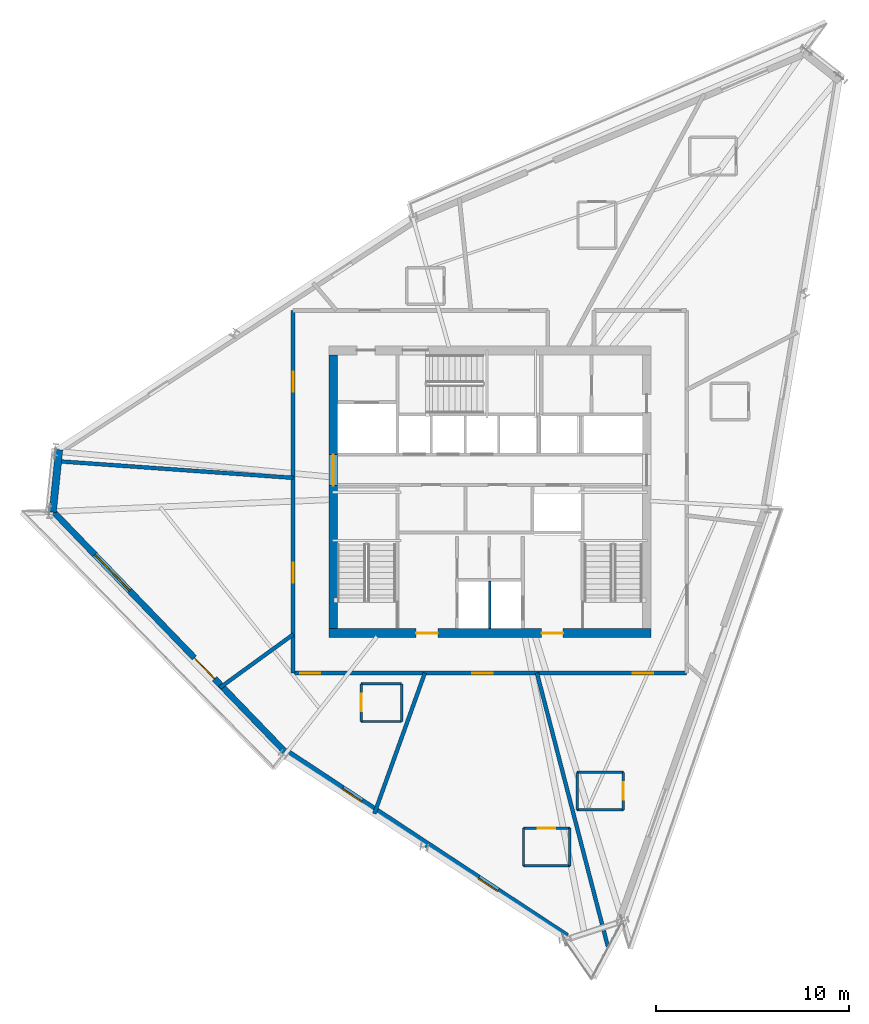
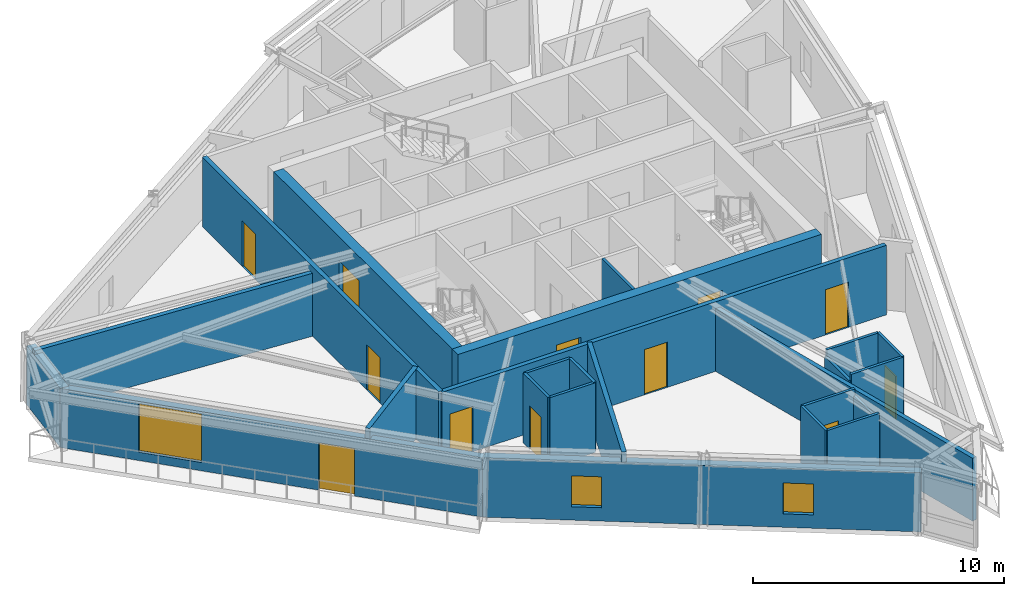
# One storey, part 7 of 13: 24 walls, 12 doors, 3 windows, 15 openings.
"""IFC4 building model written with IfcOpenShell, lengths in metres."""

from ifc_helpers import new_model, si_unit, direction, frame, frame_2d, origin, place, context, subcontext, project, spatial, rectangle, extrude, source, transform, mapped, material, layer, layer_set, type_object, type_shapes, element, fill, save


model = new_model("IFC4")

# Units and contexts
model_context = context("Model", 3, precision=1e-05, world=origin(), true_north=direction((0.0, 1.0)))
body_context = subcontext(model_context, "Body", "Model", "MODEL_VIEW")
ifc_project = project(units=[si_unit("LENGTHUNIT", "METRE"), si_unit("AREAUNIT", "SQUARE_METRE"), si_unit("VOLUMEUNIT", "CUBIC_METRE"), si_unit("PLANEANGLEUNIT", "RADIAN"), si_unit("MASSUNIT", "GRAM", prefix="KILO")], contexts=[model_context])

# Site, building, storey
site_placement = place(None, origin())
site = spatial("IfcSite", under=ifc_project, at=site_placement, CompositionType="ELEMENT")
building_placement = place(site_placement, origin())
building = spatial("IfcBuilding", under=site, at=building_placement, Name="Olszyna Solenne Hotel", CompositionType="ELEMENT")
storey_placement = place(building_placement, frame((0.0, 0.0, 248.89990234375)))
storey = spatial("IfcBuildingStorey", under=building, at=storey_placement, Name="L66", CompositionType="ELEMENT", Elevation=248.89990234375)

# Wall, openings, doors
ifc_material_1 = material(Name="Concrete C50/60", Category="concrete")
ifc_layer_1 = layer(ifc_material_1, 0.449951171875, Name="Concrete C50/60")
ifc_layer_set_1 = layer_set([ifc_layer_1], Name="Concrete C50/60")
wall_type_1 = type_object("IfcWallType", Name="WL-CR450", PredefinedType="SHEAR", material=ifc_layer_set_1)
wall_1_placement = place(storey_placement, frame((46.35009765625, 19.27490234375, 0.0), z_axis=(0.0, 0.0, 1.0), x_axis=(-1.0, 0.0, 0.0)))
wall_1 = element("IfcWall", 1, at=wall_1_placement, inside=storey, type_object=wall_type_1, Name="Core shear wall WL-CR450 CRW-L66-S", PredefinedType="SHEAR", context=body_context, shape_type="SweptSolid", body=[
    extrude(rectangle(XDim=16.7001953125, YDim=0.449951171875, at=frame_2d((8.35009765625, 0.0))), origin(), (0.0, 0.0, 1.0), 3.380126953125),
])
opening_1_placement = place(wall_1_placement, frame((4.550048828125, 0.0, 0.0)))
opening_1 = element("IfcOpeningElement", 2, at=opening_1_placement, cuts=wall_1, Name="Opening FL-L66-1", PredefinedType="OPENING", context=body_context, shape_type="SweptSolid", body=[
    extrude(rectangle(XDim=1.1201171875, YDim=2.25, at=frame_2d((0.56005859375, 1.125))), frame((0.0, 0.23486328125, 0.0), z_axis=(0.0, -1.0, 0.0), x_axis=(1.0, 0.0, 0.0)), (0.0, 0.0, 1.0), 0.469970703125),
])
opening_2_placement = place(wall_1_placement, frame((11.050048828125, 0.0, 0.0)))
opening_2 = element("IfcOpeningElement", 3, at=opening_2_placement, cuts=wall_1, Name="Opening FL-L66-2", PredefinedType="OPENING", context=body_context, shape_type="SweptSolid", body=[
    extrude(rectangle(XDim=1.1201171875, YDim=2.25, at=frame_2d((0.56005859375, 1.125))), frame((0.0, 0.23486328125, 0.0), z_axis=(0.0, -1.0, 0.0), x_axis=(1.0, 0.0, 0.0)), (0.0, 0.0, 1.0), 0.469970703125),
])
ifc_material_2 = material(Name="Steel S355J2", Category="steel")
door_type_1 = type_object("IfcDoorType", Name="DR-FL1", OperationType="NOTDEFINED", PredefinedType="DOOR", material=ifc_material_2)
shared_shape_1 = source(origin(), body_context, "Body", "SweptSolid", [
    extrude(rectangle(XDim=1.1201171875, YDim=2.25, at=frame_2d((0.56005859375, 1.125))), frame((0.0, 0.02490234375, 0.0), z_axis=(0.0, -1.0, 0.0), x_axis=(1.0, 0.0, 0.0)), (0.0, 0.0, 1.0), 0.050048828125),
])
type_shapes(door_type_1, [shared_shape_1])
door_1_placement = place(opening_1_placement, origin())
door_1 = element("IfcDoor", 4, at=door_1_placement, inside=storey, type_object=door_type_1, Name="Firefighting lift lobby smoke door FL-L66-1", OperationType="SINGLE_SWING_LEFT", OverallHeight=2.25, OverallWidth=1.1201171875, PredefinedType="DOOR", context=body_context, shape_type="MappedRepresentation", body=[
    mapped(shared_shape_1, transform((0.0, 0.0, 0.0), x_axis=(1.0, 0.0, 0.0), y_axis=(0.0, 1.0, 0.0), z_axis=(0.0, 0.0, 1.0), scale=1.0)),
])
fill(opening_1, door_1)
door_2_placement = place(opening_2_placement, origin())
door_2 = element("IfcDoor", 5, at=door_2_placement, inside=storey, type_object=door_type_1, Name="Firefighting lift lobby smoke door FL-L66-2", OperationType="SINGLE_SWING_RIGHT", OverallHeight=2.25, OverallWidth=1.1201171875, PredefinedType="DOOR", context=body_context, shape_type="MappedRepresentation", body=[
    mapped(shared_shape_1, transform((0.0, 0.0, 0.0), x_axis=(1.0, 0.0, 0.0), y_axis=(0.0, 1.0, 0.0), z_axis=(0.0, 0.0, 1.0), scale=1.0)),
])
fill(opening_2, door_2)

# Wall, opening, door
wall_2_placement = place(storey_placement, frame((29.875, 19.5, 0.0), z_axis=(0.0, 0.0, 1.0), x_axis=(0.0, 1.0, 0.0)))
wall_2 = element("IfcWall", 6, at=wall_2_placement, inside=storey, type_object=wall_type_1, Name="Core shear wall WL-CR450 CRW-L66-W", PredefinedType="SHEAR", context=body_context, shape_type="SweptSolid", body=[
    extrude(rectangle(XDim=14.199951171875, YDim=0.449951171875, at=frame_2d((7.10009765625, 0.0))), origin(), (0.0, 0.0, 1.0), 3.380126953125),
])
opening_3_placement = place(wall_2_placement, frame((7.419921875, 0.0, 0.0)))
opening_3 = element("IfcOpeningElement", 7, at=opening_3_placement, cuts=wall_2, Name="Opening LHD-L66-W", PredefinedType="OPENING", context=body_context, shape_type="SweptSolid", body=[
    extrude(rectangle(XDim=1.60009765625, YDim=2.199951171875, at=frame_2d((0.800048828125, 1.10009765625))), frame((0.0, 0.23486328125, 0.0), z_axis=(0.0, -1.0, 0.0), x_axis=(1.0, 0.0, 0.0)), (0.0, 0.0, 1.0), 0.469970703125),
])
ifc_material_3 = material(Name="Timber hardwood", Category="wood")
door_type_2 = type_object("IfcDoorType", Name="DR-CR1", OperationType="DOUBLE_DOOR_SINGLE_SWING", PredefinedType="DOOR", material=ifc_material_3)
shared_shape_2 = source(origin(), body_context, "Body", "SweptSolid", [
    extrude(rectangle(XDim=1.60009765625, YDim=2.199951171875, at=frame_2d((0.800048828125, 1.10009765625))), frame((0.0, 0.02490234375, 0.0), z_axis=(0.0, -1.0, 0.0), x_axis=(1.0, 0.0, 0.0)), (0.0, 0.0, 1.0), 0.050048828125),
])
type_shapes(door_type_2, [shared_shape_2])
door_3_placement = place(opening_3_placement, origin())
door_3 = element("IfcDoor", 8, at=door_3_placement, inside=storey, type_object=door_type_2, Name="Passenger lift lobby West fire door LHD-L66-W", OperationType="DOUBLE_DOOR_SINGLE_SWING", OverallHeight=2.199951171875, OverallWidth=1.60009765625, PredefinedType="DOOR", context=body_context, shape_type="MappedRepresentation", body=[
    mapped(shared_shape_2, transform((0.0, 0.0, 0.0), x_axis=(1.0, 0.0, 0.0), y_axis=(0.0, 1.0, 0.0), z_axis=(0.0, 0.0, 1.0), scale=1.0)),
])
fill(opening_3, door_3)

# Wall, openings, door, window
ifc_material_4 = material(Name="Precast concrete C45/55", Category="concrete")
ifc_layer_2 = layer(ifc_material_4, 0.320068359375, Name="Precast concrete C45/55")
ifc_layer_set_2 = layer_set([ifc_layer_2], Name="Precast concrete C45/55")
wall_type_2 = type_object("IfcWallType", Name="WL-EX320", PredefinedType="SOLIDWALL", material=ifc_layer_set_2)
wall_3_placement = place(storey_placement, frame((27.39697265625, 13.097900390625, 0.0), z_axis=(0.0, 0.0, 1.0), x_axis=(-0.694335154738, 0.719651785863, 0.0)))
wall_3 = element("IfcWall", 9, at=wall_3_placement, inside=storey, type_object=wall_type_2, Name="Exterior terracotta-precast frame wall WL-EX320 EW-L66-05", PredefinedType="SOLIDWALL", context=body_context, shape_type="SweptSolid", body=[
    extrude(rectangle(XDim=17.47412109375, YDim=0.320068359375, at=frame_2d((8.737060546875, 0.0))), origin(), (0.0, 0.0, 1.0), 2.8720703125),
])
opening_4_placement = place(wall_3_placement, frame((5.2919921875, 0.0, 0.0)))
opening_4 = element("IfcOpeningElement", 10, at=opening_4_placement, cuts=wall_3, Name="Opening LDG-L66-2", PredefinedType="OPENING", context=body_context, shape_type="SweptSolid", body=[
    extrude(rectangle(XDim=1.5, YDim=2.300048828125, at=frame_2d((0.75, 1.14990234375))), frame((0.0, 0.169921875, 0.0), z_axis=(0.0, -1.0, 0.0), x_axis=(1.0, 0.0, 0.0)), (0.0, 0.0, 1.0), 0.340087890625),
])
opening_5_placement = place(wall_3_placement, frame((11.631103515625, 0.0, 0.402099609375)))
opening_5 = element("IfcOpeningElement", 11, at=opening_5_placement, cuts=wall_3, Name="Opening WN-L66-435", PredefinedType="OPENING", context=body_context, shape_type="SweptSolid", body=[
    extrude(rectangle(XDim=2.60009765625, YDim=2.35009765625, at=frame_2d((1.300048828125, 1.175048828125))), frame((0.0, 0.169921875, 0.0), z_axis=(0.0, -1.0, 0.0), x_axis=(1.0, 0.0, 0.0)), (0.0, 0.0, 1.0), 0.340087890625),
])
ifc_material_5 = material(Name="Anodised bronze aluminium", Category="aluminium")
door_type_3 = type_object("IfcDoorType", Name="DR-LG2", OperationType="DOUBLE_DOOR_SINGLE_SWING", PredefinedType="DOOR", material=ifc_material_5)
shared_shape_3 = source(origin(), body_context, "Body", "SweptSolid", [
    extrude(rectangle(XDim=1.5, YDim=2.300048828125, at=frame_2d((0.75, 1.14990234375))), frame((0.0, 0.02490234375, 0.0), z_axis=(0.0, -1.0, 0.0), x_axis=(1.0, 0.0, 0.0)), (0.0, 0.0, 1.0), 0.050048828125),
])
type_shapes(door_type_3, [shared_shape_3])
door_4_placement = place(opening_4_placement, origin())
door_4 = element("IfcDoor", 12, at=door_4_placement, inside=storey, type_object=door_type_3, Name="Exterior loggia balcony door DR-LG2 LDG-L66-2", OperationType="DOUBLE_DOOR_SINGLE_SWING", OverallHeight=2.300048828125, OverallWidth=1.5, PredefinedType="DOOR", context=body_context, shape_type="MappedRepresentation", body=[
    mapped(shared_shape_3, transform((0.0, 0.0, 0.0), x_axis=(1.0, 0.0, 0.0), y_axis=(0.0, 1.0, 0.0), z_axis=(0.0, 0.0, 1.0), scale=1.0)),
])
fill(opening_4, door_4)
ifc_material_6 = material(Name="Low-E triple glazing", Category="glass")
window_type_1 = type_object("IfcWindowType", Name="WN-ST1", PartitioningType="SINGLE_PANEL", PredefinedType="WINDOW", material=ifc_material_6)
shared_shape_4 = source(origin(), body_context, "Body", "SweptSolid", [
    extrude(rectangle(XDim=2.60009765625, YDim=2.35009765625, at=frame_2d((1.300048828125, 1.175048828125))), frame((0.0, 0.030029296875, 0.0), z_axis=(0.0, -1.0, 0.0), x_axis=(1.0, 0.0, 0.0)), (0.0, 0.0, 1.0), 0.06005859375),
])
type_shapes(window_type_1, [shared_shape_4])
window_1_placement = place(opening_5_placement, origin())
window_1 = element("IfcWindow", 13, at=window_1_placement, inside=storey, type_object=window_type_1, Name="Loggia room window WN-ST1 WN-L66-435", OverallHeight=2.35009765625, OverallWidth=2.60009765625, PartitioningType="SINGLE_PANEL", PredefinedType="WINDOW", context=body_context, shape_type="MappedRepresentation", body=[
    mapped(shared_shape_4, transform((0.0, 0.0, 0.0), x_axis=(1.0, 0.0, 0.0), y_axis=(0.0, 1.0, 0.0), z_axis=(0.0, 0.0, 1.0), scale=1.0)),
])
fill(opening_5, window_1)

# Wall, openings, windows
ifc_material_7 = material(Name="Terracotta cladding on precast concrete C45/55", Category="masonry")
ifc_layer_3 = layer(ifc_material_7, 0.3798828125, Name="Terracotta cladding on precast concrete C45/55")
ifc_layer_set_3 = layer_set([ifc_layer_3], Name="Terracotta cladding on precast concrete C45/55")
wall_type_3 = type_object("IfcWallType", Name="WL-EX380", PredefinedType="SOLIDWALL", material=ifc_layer_set_3)
wall_4_placement = place(storey_placement, frame((41.9794921875, 3.53369140625, 0.0), z_axis=(0.0, 0.0, 1.0), x_axis=(-0.835124059856, 0.550061637136, 0.0)))
wall_4 = element("IfcWall", 14, at=wall_4_placement, inside=storey, type_object=wall_type_3, Name="Exterior terracotta-precast frame wall WL-EX380 EW-L66-04", PredefinedType="SOLIDWALL", context=body_context, shape_type="SweptSolid", body=[
    extrude(rectangle(XDim=17.47412109375, YDim=0.3798828125, at=frame_2d((8.737060546875, 0.0))), origin(), (0.0, 0.0, 1.0), 2.8720703125),
])
opening_6_placement = place(wall_4_placement, frame((4.29296875, 0.0, 0.64990234375)))
opening_6 = element("IfcOpeningElement", 15, at=opening_6_placement, cuts=wall_4, Name="Opening WN-L66-433", PredefinedType="OPENING", context=body_context, shape_type="SweptSolid", body=[
    extrude(rectangle(XDim=1.199951171875, YDim=1.5, at=frame_2d((0.60009765625, 0.75))), frame((0.0, 0.199951171875, 0.0), z_axis=(0.0, -1.0, 0.0), x_axis=(1.0, 0.0, 0.0)), (0.0, 0.0, 1.0), 0.39990234375),
])
opening_7_placement = place(wall_4_placement, frame((12.73095703125, 0.0, 0.64990234375)))
opening_7 = element("IfcOpeningElement", 16, at=opening_7_placement, cuts=wall_4, Name="Opening WN-L66-434", PredefinedType="OPENING", context=body_context, shape_type="SweptSolid", body=[
    extrude(rectangle(XDim=1.199951171875, YDim=1.5, at=frame_2d((0.60009765625, 0.75))), frame((0.0, 0.199951171875, 0.0), z_axis=(0.0, -1.0, 0.0), x_axis=(1.0, 0.0, 0.0)), (0.0, 0.0, 1.0), 0.39990234375),
])
window_type_2 = type_object("IfcWindowType", Name="WN-B1", PartitioningType="SINGLE_PANEL", PredefinedType="WINDOW", material=ifc_material_6)
shared_shape_5 = source(origin(), body_context, "Body", "SweptSolid", [
    extrude(rectangle(XDim=1.199951171875, YDim=1.5, at=frame_2d((0.60009765625, 0.75))), frame((0.0, 0.030029296875, 0.0), z_axis=(0.0, -1.0, 0.0), x_axis=(1.0, 0.0, 0.0)), (0.0, 0.0, 1.0), 0.06005859375),
])
type_shapes(window_type_2, [shared_shape_5])
window_2_placement = place(opening_6_placement, origin())
window_2 = element("IfcWindow", 17, at=window_2_placement, inside=storey, type_object=window_type_2, Name="Exterior facade window WN-B1 WN-L66-433", OverallHeight=1.5, OverallWidth=1.199951171875, PartitioningType="SINGLE_PANEL", PredefinedType="WINDOW", context=body_context, shape_type="MappedRepresentation", body=[
    mapped(shared_shape_5, transform((0.0, 0.0, 0.0), x_axis=(1.0, 0.0, 0.0), y_axis=(0.0, 1.0, 0.0), z_axis=(0.0, 0.0, 1.0), scale=1.0)),
])
fill(opening_6, window_2)
window_3_placement = place(opening_7_placement, origin())
window_3 = element("IfcWindow", 18, at=window_3_placement, inside=storey, type_object=window_type_2, Name="Exterior facade window WN-B1 WN-L66-434", OverallHeight=1.5, OverallWidth=1.199951171875, PartitioningType="SINGLE_PANEL", PredefinedType="WINDOW", context=body_context, shape_type="MappedRepresentation", body=[
    mapped(shared_shape_5, transform((0.0, 0.0, 0.0), x_axis=(1.0, 0.0, 0.0), y_axis=(0.0, 1.0, 0.0), z_axis=(0.0, 0.0, 1.0), scale=1.0)),
])
fill(opening_7, window_3)

# Walls
wall_5_placement = place(storey_placement, frame((15.338134765625, 25.542724609375, 0.0), z_axis=(0.0, 0.0, 1.0), x_axis=(0.101912621296, 0.99479335423, 0.0)))
element("IfcWall", 19, at=wall_5_placement, inside=storey, type_object=wall_type_3, Name="Exterior terracotta-precast frame wall WL-EX380 EW-L66-06", PredefinedType="SOLIDWALL", context=body_context, shape_type="SweptSolid", body=[
    extrude(rectangle(XDim=3.250732421875, YDim=0.3798828125, at=frame_2d((1.62548828125, 0.0))), origin(), (0.0, 0.0, 1.0), 2.8720703125),
])
ifc_material_8 = material(Name="Acoustic gypsum partition", Category="gypsum")
ifc_layer_4 = layer(ifc_material_8, 0.125, Name="Acoustic gypsum partition")
ifc_layer_set_4 = layer_set([ifc_layer_4], Name="Acoustic gypsum partition")
wall_type_4 = type_object("IfcWallType", Name="WL-PT125", PredefinedType="PARTITIONING", material=ifc_layer_set_4)
wall_6_placement = place(storey_placement, frame((38.0, 19.5, 0.0), z_axis=(0.0, 0.0, 1.0), x_axis=(0.0, 1.0, 0.0)))
element("IfcWall", 20, at=wall_6_placement, inside=storey, type_object=wall_type_4, Name="Core shaft compartment wall CW-L66-FFM", PredefinedType="PARTITIONING", context=body_context, shape_type="SweptSolid", body=[
    extrude(rectangle(XDim=2.4599609375, YDim=0.125, at=frame_2d((1.22998046875, 0.0))), origin(), (0.0, 0.0, 1.0), 3.380126953125),
])
wall_7_placement = place(storey_placement, frame((42.139892578125, 7.205078125, 0.0), z_axis=(0.0, 0.0, 1.0), x_axis=(0.0, 1.0, 0.0)))
element("IfcWall", 21, at=wall_7_placement, inside=storey, type_object=wall_type_4, Name="Interior acoustic partition WL-PT125 PW-L66-3659", PredefinedType="PARTITIONING", context=body_context, shape_type="SweptSolid", body=[
    extrude(rectangle(XDim=1.949951171875, YDim=0.125, at=frame_2d((0.97509765625, 0.0))), origin(), (0.0, 0.0, 1.0), 3.05517578125),
])

# Wall, opening, door
wall_8_placement = place(storey_placement, frame((42.139892578125, 9.155029296875, 0.0), z_axis=(0.0, 0.0, 1.0), x_axis=(-1.0, 0.0, 0.0)))
wall_8 = element("IfcWall", 22, at=wall_8_placement, inside=storey, type_object=wall_type_4, Name="Interior acoustic partition WL-PT125 PW-L66-3660", PredefinedType="PARTITIONING", context=body_context, shape_type="SweptSolid", body=[
    extrude(rectangle(XDim=2.39990234375, YDim=0.125, at=frame_2d((1.199951171875, 0.0))), origin(), (0.0, 0.0, 1.0), 3.380126953125),
])
opening_8_placement = place(wall_8_placement, frame((0.75, 0.0, 0.0)))
opening_8 = element("IfcOpeningElement", 23, at=opening_8_placement, cuts=wall_8, Name="Opening DR-L66-0888", PredefinedType="OPENING", context=body_context, shape_type="SweptSolid", body=[
    extrude(rectangle(XDim=0.89990234375, YDim=2.10009765625, at=frame_2d((0.449951171875, 1.050048828125))), frame((0.0, 0.072509765625, 0.0), z_axis=(0.0, -1.0, 0.0), x_axis=(1.0, 0.0, 0.0)), (0.0, 0.0, 1.0), 0.14501953125),
])
door_type_4 = type_object("IfcDoorType", Name="DR-WC1", OperationType="NOTDEFINED", PredefinedType="DOOR", material=ifc_material_3)
shared_shape_6 = source(origin(), body_context, "Body", "SweptSolid", [
    extrude(rectangle(XDim=0.89990234375, YDim=2.10009765625, at=frame_2d((0.449951171875, 1.050048828125))), frame((0.0, 0.02490234375, 0.0), z_axis=(0.0, -1.0, 0.0), x_axis=(1.0, 0.0, 0.0)), (0.0, 0.0, 1.0), 0.050048828125),
])
type_shapes(door_type_4, [shared_shape_6])
door_5_placement = place(opening_8_placement, origin())
door_5 = element("IfcDoor", 24, at=door_5_placement, inside=storey, type_object=door_type_4, Name="En-Suite Bathroom Door DR-L66-0888", OperationType="SINGLE_SWING_LEFT", OverallHeight=2.10009765625, OverallWidth=0.89990234375, PredefinedType="DOOR", context=body_context, shape_type="MappedRepresentation", body=[
    mapped(shared_shape_6, transform((0.0, 0.0, 0.0), x_axis=(1.0, 0.0, 0.0), y_axis=(0.0, 1.0, 0.0), z_axis=(0.0, 0.0, 1.0), scale=1.0)),
])
fill(opening_8, door_5)

# Walls
wall_9_placement = place(storey_placement, frame((39.739990234375, 9.155029296875, 0.0), z_axis=(0.0, 0.0, 1.0), x_axis=(0.0, -1.0, 0.0)))
element("IfcWall", 25, at=wall_9_placement, inside=storey, type_object=wall_type_4, Name="Interior acoustic partition WL-PT125 PW-L66-3661", PredefinedType="PARTITIONING", context=body_context, shape_type="SweptSolid", body=[
    extrude(rectangle(XDim=1.949951171875, YDim=0.125, at=frame_2d((0.97509765625, 0.0))), origin(), (0.0, 0.0, 1.0), 3.380126953125),
])
wall_10_placement = place(storey_placement, frame((39.739990234375, 7.205078125, 0.0), z_axis=(0.0, 0.0, 1.0), x_axis=(1.0, 0.0, 0.0)))
element("IfcWall", 26, at=wall_10_placement, inside=storey, type_object=wall_type_4, Name="Interior acoustic partition WL-PT125 PW-L66-3662", PredefinedType="PARTITIONING", context=body_context, shape_type="SweptSolid", body=[
    extrude(rectangle(XDim=2.39990234375, YDim=0.125, at=frame_2d((1.199951171875, 0.0))), origin(), (0.0, 0.0, 1.0), 3.380126953125),
])

# Wall, opening, door
wall_11_placement = place(storey_placement, frame((44.9208984375, 10.10498046875, 0.0), z_axis=(0.0, 0.0, 1.0), x_axis=(0.0, 1.0, 0.0)))
wall_11 = element("IfcWall", 27, at=wall_11_placement, inside=storey, type_object=wall_type_4, Name="Interior acoustic partition WL-PT125 PW-L66-3663", PredefinedType="PARTITIONING", context=body_context, shape_type="SweptSolid", body=[
    extrude(rectangle(XDim=1.949951171875, YDim=0.125, at=frame_2d((0.97509765625, 0.0))), origin(), (0.0, 0.0, 1.0), 3.380126953125),
])
opening_9_placement = place(wall_11_placement, frame((0.52490234375, 0.0, 0.0)))
opening_9 = element("IfcOpeningElement", 28, at=opening_9_placement, cuts=wall_11, Name="Opening DR-L66-0889", PredefinedType="OPENING", context=body_context, shape_type="SweptSolid", body=[
    extrude(rectangle(XDim=0.89990234375, YDim=2.10009765625, at=frame_2d((0.449951171875, 1.050048828125))), frame((0.0, 0.072509765625, 0.0), z_axis=(0.0, -1.0, 0.0), x_axis=(1.0, 0.0, 0.0)), (0.0, 0.0, 1.0), 0.14501953125),
])
door_6_placement = place(opening_9_placement, origin())
door_6 = element("IfcDoor", 29, at=door_6_placement, inside=storey, type_object=door_type_4, Name="En-Suite Bathroom Door DR-L66-0889", OperationType="SINGLE_SWING_RIGHT", OverallHeight=2.10009765625, OverallWidth=0.89990234375, PredefinedType="DOOR", context=body_context, shape_type="MappedRepresentation", body=[
    mapped(shared_shape_6, transform((0.0, 0.0, 0.0), x_axis=(1.0, 0.0, 0.0), y_axis=(0.0, 1.0, 0.0), z_axis=(0.0, 0.0, 1.0), scale=1.0)),
])
fill(opening_9, door_6)

# Walls
wall_12_placement = place(storey_placement, frame((44.9208984375, 12.054931640625, 0.0), z_axis=(0.0, 0.0, 1.0), x_axis=(-1.0, 0.0, 0.0)))
element("IfcWall", 30, at=wall_12_placement, inside=storey, type_object=wall_type_4, Name="Interior acoustic partition WL-PT125 PW-L66-3664", PredefinedType="PARTITIONING", context=body_context, shape_type="SweptSolid", body=[
    extrude(rectangle(XDim=2.39990234375, YDim=0.125, at=frame_2d((1.199951171875, 0.0))), origin(), (0.0, 0.0, 1.0), 3.380126953125),
])
wall_13_placement = place(storey_placement, frame((42.52099609375, 12.054931640625, 0.0), z_axis=(0.0, 0.0, 1.0), x_axis=(0.0, -1.0, 0.0)))
element("IfcWall", 31, at=wall_13_placement, inside=storey, type_object=wall_type_4, Name="Interior acoustic partition WL-PT125 PW-L66-3665", PredefinedType="PARTITIONING", context=body_context, shape_type="SweptSolid", body=[
    extrude(rectangle(XDim=1.949951171875, YDim=0.125, at=frame_2d((0.97509765625, 0.0))), origin(), (0.0, 0.0, 1.0), 3.05517578125),
])
wall_14_placement = place(storey_placement, frame((42.52099609375, 10.10498046875, 0.0), z_axis=(0.0, 0.0, 1.0), x_axis=(1.0, 0.0, 0.0)))
element("IfcWall", 32, at=wall_14_placement, inside=storey, type_object=wall_type_4, Name="Interior acoustic partition WL-PT125 PW-L66-3666", PredefinedType="PARTITIONING", context=body_context, shape_type="SweptSolid", body=[
    extrude(rectangle(XDim=2.39990234375, YDim=0.125, at=frame_2d((1.199951171875, 0.0))), origin(), (0.0, 0.0, 1.0), 3.380126953125),
])
wall_15_placement = place(storey_placement, frame((33.4208984375, 14.69091796875, 0.0), z_axis=(0.0, 0.0, 1.0), x_axis=(0.0, 1.0, 0.0)))
element("IfcWall", 33, at=wall_15_placement, inside=storey, type_object=wall_type_4, Name="Interior acoustic partition WL-PT125 PW-L66-3683", PredefinedType="PARTITIONING", context=body_context, shape_type="SweptSolid", body=[
    extrude(rectangle(XDim=1.9501953125, YDim=0.125, at=frame_2d((0.97509765625, 0.0))), origin(), (0.0, 0.0, 1.0), 3.380126953125),
])
wall_16_placement = place(storey_placement, frame((33.4208984375, 16.64111328125, 0.0), z_axis=(0.0, 0.0, 1.0), x_axis=(-1.0, 0.0, 0.0)))
element("IfcWall", 34, at=wall_16_placement, inside=storey, type_object=wall_type_4, Name="Interior acoustic partition WL-PT125 PW-L66-3684", PredefinedType="PARTITIONING", context=body_context, shape_type="SweptSolid", body=[
    extrude(rectangle(XDim=2.099853515625, YDim=0.125, at=frame_2d((1.0498046875, 0.0))), origin(), (0.0, 0.0, 1.0), 3.380126953125),
])

# Wall, opening, door
wall_17_placement = place(storey_placement, frame((31.321044921875, 16.64111328125, 0.0), z_axis=(0.0, 0.0, 1.0), x_axis=(0.0, -1.0, 0.0)))
wall_17 = element("IfcWall", 35, at=wall_17_placement, inside=storey, type_object=wall_type_4, Name="Interior acoustic partition WL-PT125 PW-L66-3685", PredefinedType="PARTITIONING", context=body_context, shape_type="SweptSolid", body=[
    extrude(rectangle(XDim=1.9501953125, YDim=0.125, at=frame_2d((0.97509765625, 0.0))), origin(), (0.0, 0.0, 1.0), 3.380126953125),
])
opening_10_placement = place(wall_17_placement, frame((0.52490234375, 0.0, 0.0)))
opening_10 = element("IfcOpeningElement", 36, at=opening_10_placement, cuts=wall_17, Name="Opening DR-L66-0894", PredefinedType="OPENING", context=body_context, shape_type="SweptSolid", body=[
    extrude(rectangle(XDim=0.89990234375, YDim=2.10009765625, at=frame_2d((0.449951171875, 1.050048828125))), frame((0.0, 0.072509765625, 0.0), z_axis=(0.0, -1.0, 0.0), x_axis=(1.0, 0.0, 0.0)), (0.0, 0.0, 1.0), 0.14501953125),
])
door_7_placement = place(opening_10_placement, origin())
door_7 = element("IfcDoor", 37, at=door_7_placement, inside=storey, type_object=door_type_4, Name="En-Suite Bathroom Door DR-L66-0894", OperationType="SINGLE_SWING_RIGHT", OverallHeight=2.10009765625, OverallWidth=0.89990234375, PredefinedType="DOOR", context=body_context, shape_type="MappedRepresentation", body=[
    mapped(shared_shape_6, transform((0.0, 0.0, 0.0), x_axis=(1.0, 0.0, 0.0), y_axis=(0.0, 1.0, 0.0), z_axis=(0.0, 0.0, 1.0), scale=1.0)),
])
fill(opening_10, door_7)

# Walls
wall_18_placement = place(storey_placement, frame((31.321044921875, 14.69091796875, 0.0), z_axis=(0.0, 0.0, 1.0), x_axis=(1.0, 0.0, 0.0)))
element("IfcWall", 38, at=wall_18_placement, inside=storey, type_object=wall_type_4, Name="Interior acoustic partition WL-PT125 PW-L66-3686", PredefinedType="PARTITIONING", context=body_context, shape_type="SweptSolid", body=[
    extrude(rectangle(XDim=2.099853515625, YDim=0.125, at=frame_2d((1.0498046875, 0.0))), origin(), (0.0, 0.0, 1.0), 3.380126953125),
])
ifc_layer_5 = layer(ifc_material_8, 0.199951171875, Name="Acoustic gypsum partition")
ifc_layer_set_5 = layer_set([ifc_layer_5], Name="Acoustic gypsum partition")
wall_type_5 = type_object("IfcWallType", Name="WL-PT200", PredefinedType="PARTITIONING", material=ifc_layer_set_5)
wall_19_placement = place(storey_placement, frame((34.625, 17.199951171875, 0.0), z_axis=(0.0, 0.0, 1.0), x_axis=(-0.337893391222, -0.9411843901, 0.0)))
element("IfcWall", 39, at=wall_19_placement, inside=storey, type_object=wall_type_5, Name="Interior acoustic partition WL-PT200 PW-L66-3649", PredefinedType="PARTITIONING", context=body_context, shape_type="SweptSolid", body=[
    extrude(rectangle(XDim=7.74560546875, YDim=0.199951171875, at=frame_2d((3.872802734375, 0.0))), origin(), (0.0, 0.0, 1.0), 3.380126953125),
])
wall_20_placement = place(storey_placement, frame((40.437255859375, 17.199951171875, 0.0), z_axis=(0.0, 0.0, 1.0), x_axis=(0.250981237111, -0.967991951732, 0.0)))
element("IfcWall", 40, at=wall_20_placement, inside=storey, type_object=wall_type_5, Name="Interior acoustic partition WL-PT200 PW-L66-3650", PredefinedType="PARTITIONING", context=body_context, shape_type="SweptSolid", body=[
    extrude(rectangle(XDim=14.6552734375, YDim=0.199951171875, at=frame_2d((7.32763671875, 0.0))), origin(), (0.0, 0.0, 1.0), 3.05517578125),
])
wall_21_placement = place(storey_placement, frame((27.800048828125, 27.319580078125, 0.0), z_axis=(0.0, 0.0, 1.0), x_axis=(-0.997519583844, 0.070389486763, 0.0)))
element("IfcWall", 41, at=wall_21_placement, inside=storey, type_object=wall_type_5, Name="Interior acoustic partition WL-PT200 PW-L66-3657", PredefinedType="PARTITIONING", context=body_context, shape_type="SweptSolid", body=[
    extrude(rectangle(XDim=12.38232421875, YDim=0.199951171875, at=frame_2d((6.191162109375, 0.0))), origin(), (0.0, 0.0, 1.0), 3.05517578125),
])
wall_22_placement = place(storey_placement, frame((27.800048828125, 19.198974609375, 0.0), z_axis=(0.0, 0.0, 1.0), x_axis=(-0.809388941901, -0.58727296952, 0.0)))
element("IfcWall", 42, at=wall_22_placement, inside=storey, type_object=wall_type_5, Name="Interior acoustic partition WL-PT200 PW-L66-3658", PredefinedType="PARTITIONING", context=body_context, shape_type="SweptSolid", body=[
    extrude(rectangle(XDim=4.7021484375, YDim=0.199951171875, at=frame_2d((2.35107421875, 0.0))), origin(), (0.0, 0.0, 1.0), 3.380126953125),
])

# Wall, openings, doors
wall_23_placement = place(storey_placement, frame((27.800048828125, 17.199951171875, 0.0), z_axis=(0.0, 0.0, 1.0), x_axis=(1.0, 0.0, 0.0)))
wall_23 = element("IfcWall", 43, at=wall_23_placement, inside=storey, type_object=wall_type_5, Name="Interior acoustic partition WL-PT200 PW-L66-3687", PredefinedType="PARTITIONING", context=body_context, shape_type="SweptSolid", body=[
    extrude(rectangle(XDim=20.39990234375, YDim=0.199951171875, at=frame_2d((10.199951171875, 0.0))), origin(), (0.0, 0.0, 1.0), 3.380126953125),
])
opening_11_placement = place(wall_23_placement, frame((9.291015625, 0.0, 0.0)))
opening_11 = element("IfcOpeningElement", 44, at=opening_11_placement, cuts=wall_23, Name="Opening DR-L66-0895", PredefinedType="OPENING", context=body_context, shape_type="SweptSolid", body=[
    extrude(rectangle(XDim=1.050048828125, YDim=2.199951171875, at=frame_2d((0.52490234375, 1.10009765625))), frame((0.0, 0.10986328125, 0.0), z_axis=(0.0, -1.0, 0.0), x_axis=(1.0, 0.0, 0.0)), (0.0, 0.0, 1.0), 0.219970703125),
])
opening_12_placement = place(wall_23_placement, frame((17.615966796875, 0.0, 0.0)))
opening_12 = element("IfcOpeningElement", 45, at=opening_12_placement, cuts=wall_23, Name="Opening DR-L66-0896", PredefinedType="OPENING", context=body_context, shape_type="SweptSolid", body=[
    extrude(rectangle(XDim=1.050048828125, YDim=2.199951171875, at=frame_2d((0.52490234375, 1.10009765625))), frame((0.0, 0.10986328125, 0.0), z_axis=(0.0, -1.0, 0.0), x_axis=(1.0, 0.0, 0.0)), (0.0, 0.0, 1.0), 0.219970703125),
])
opening_13_placement = place(wall_23_placement, frame((0.361083984375, 0.0, 0.0)))
opening_13 = element("IfcOpeningElement", 46, at=opening_13_placement, cuts=wall_23, Name="Opening DR-L66-0897", PredefinedType="OPENING", context=body_context, shape_type="SweptSolid", body=[
    extrude(rectangle(XDim=1.050048828125, YDim=2.199951171875, at=frame_2d((0.52490234375, 1.10009765625))), frame((0.0, 0.10986328125, 0.0), z_axis=(0.0, -1.0, 0.0), x_axis=(1.0, 0.0, 0.0)), (0.0, 0.0, 1.0), 0.219970703125),
])
door_type_5 = type_object("IfcDoorType", Name="DR-RM2", OperationType="NOTDEFINED", PredefinedType="DOOR", material=ifc_material_3)
shared_shape_7 = source(origin(), body_context, "Body", "SweptSolid", [
    extrude(rectangle(XDim=1.050048828125, YDim=2.199951171875, at=frame_2d((0.52490234375, 1.10009765625))), frame((0.0, 0.02490234375, 0.0), z_axis=(0.0, -1.0, 0.0), x_axis=(1.0, 0.0, 0.0)), (0.0, 0.0, 1.0), 0.050048828125),
])
type_shapes(door_type_5, [shared_shape_7])
door_8_placement = place(opening_11_placement, origin())
door_8 = element("IfcDoor", 47, at=door_8_placement, inside=storey, type_object=door_type_5, Name="Deluxe Hotel Guestroom Entrance Door DR-L66-0895", OperationType="SINGLE_SWING_RIGHT", OverallHeight=2.199951171875, OverallWidth=1.050048828125, PredefinedType="DOOR", context=body_context, shape_type="MappedRepresentation", body=[
    mapped(shared_shape_7, transform((0.0, 0.0, 0.0), x_axis=(1.0, 0.0, 0.0), y_axis=(0.0, 1.0, 0.0), z_axis=(0.0, 0.0, 1.0), scale=1.0)),
])
fill(opening_11, door_8)
door_9_placement = place(opening_12_placement, origin())
door_9 = element("IfcDoor", 48, at=door_9_placement, inside=storey, type_object=door_type_5, Name="Deluxe Hotel Guestroom Entrance Door DR-L66-0896", OperationType="SINGLE_SWING_LEFT", OverallHeight=2.199951171875, OverallWidth=1.050048828125, PredefinedType="DOOR", context=body_context, shape_type="MappedRepresentation", body=[
    mapped(shared_shape_7, transform((0.0, 0.0, 0.0), x_axis=(1.0, 0.0, 0.0), y_axis=(0.0, 1.0, 0.0), z_axis=(0.0, 0.0, 1.0), scale=1.0)),
])
fill(opening_12, door_9)
door_10_placement = place(opening_13_placement, origin())
door_10 = element("IfcDoor", 49, at=door_10_placement, inside=storey, type_object=door_type_5, Name="Executive Reading Salon Entrance Door DR-L66-0897", OperationType="SINGLE_SWING_LEFT", OverallHeight=2.199951171875, OverallWidth=1.050048828125, PredefinedType="DOOR", context=body_context, shape_type="MappedRepresentation", body=[
    mapped(shared_shape_7, transform((0.0, 0.0, 0.0), x_axis=(1.0, 0.0, 0.0), y_axis=(0.0, 1.0, 0.0), z_axis=(0.0, 0.0, 1.0), scale=1.0)),
])
fill(opening_13, door_10)

wall_24_placement = place(storey_placement, frame((27.800048828125, 17.199951171875, 0.0), z_axis=(0.0, 0.0, 1.0), x_axis=(0.0, 1.0, 0.0)))
wall_24 = element("IfcWall", 50, at=wall_24_placement, inside=storey, type_object=wall_type_5, Name="Interior acoustic partition WL-PT200 PW-L66-3688", PredefinedType="PARTITIONING", context=body_context, shape_type="SweptSolid", body=[
    extrude(rectangle(XDim=18.800048828125, YDim=0.199951171875, at=frame_2d((9.39990234375, 0.0))), origin(), (0.0, 0.0, 1.0), 3.380126953125),
])
opening_14_placement = place(wall_24_placement, frame((14.574951171875, 0.0, 0.0)))
opening_14 = element("IfcOpeningElement", 51, at=opening_14_placement, cuts=wall_24, Name="Opening DR-L66-0898", PredefinedType="OPENING", context=body_context, shape_type="SweptSolid", body=[
    extrude(rectangle(XDim=1.050048828125, YDim=2.199951171875, at=frame_2d((0.52490234375, 1.10009765625))), frame((0.0, 0.10986328125, 0.0), z_axis=(0.0, -1.0, 0.0), x_axis=(1.0, 0.0, 0.0)), (0.0, 0.0, 1.0), 0.219970703125),
])
opening_15_placement = place(wall_24_placement, frame((4.679931640625, 0.0, 0.0)))
opening_15 = element("IfcOpeningElement", 52, at=opening_15_placement, cuts=wall_24, Name="Opening DR-L66-0899", PredefinedType="OPENING", context=body_context, shape_type="SweptSolid", body=[
    extrude(rectangle(XDim=1.050048828125, YDim=2.199951171875, at=frame_2d((0.52490234375, 1.10009765625))), frame((0.0, 0.10986328125, 0.0), z_axis=(0.0, -1.0, 0.0), x_axis=(1.0, 0.0, 0.0)), (0.0, 0.0, 1.0), 0.219970703125),
])
door_11_placement = place(opening_14_placement, origin())
door_11 = element("IfcDoor", 53, at=door_11_placement, inside=storey, type_object=door_type_5, Name="Breakfast Tasting Salon Entrance Door DR-L66-0898", OperationType="SINGLE_SWING_LEFT", OverallHeight=2.199951171875, OverallWidth=1.050048828125, PredefinedType="DOOR", context=body_context, shape_type="MappedRepresentation", body=[
    mapped(shared_shape_7, transform((0.0, 0.0, 0.0), x_axis=(1.0, 0.0, 0.0), y_axis=(0.0, 1.0, 0.0), z_axis=(0.0, 0.0, 1.0), scale=1.0)),
])
fill(opening_14, door_11)
door_12_placement = place(opening_15_placement, origin())
door_12 = element("IfcDoor", 54, at=door_12_placement, inside=storey, type_object=door_type_5, Name="Boutique Art Gallery Entrance Door DR-L66-0899", OperationType="SINGLE_SWING_RIGHT", OverallHeight=2.199951171875, OverallWidth=1.050048828125, PredefinedType="DOOR", context=body_context, shape_type="MappedRepresentation", body=[
    mapped(shared_shape_7, transform((0.0, 0.0, 0.0), x_axis=(1.0, 0.0, 0.0), y_axis=(0.0, 1.0, 0.0), z_axis=(0.0, 0.0, 1.0), scale=1.0)),
])
fill(opening_15, door_12)

save(model, "model.ifc")
